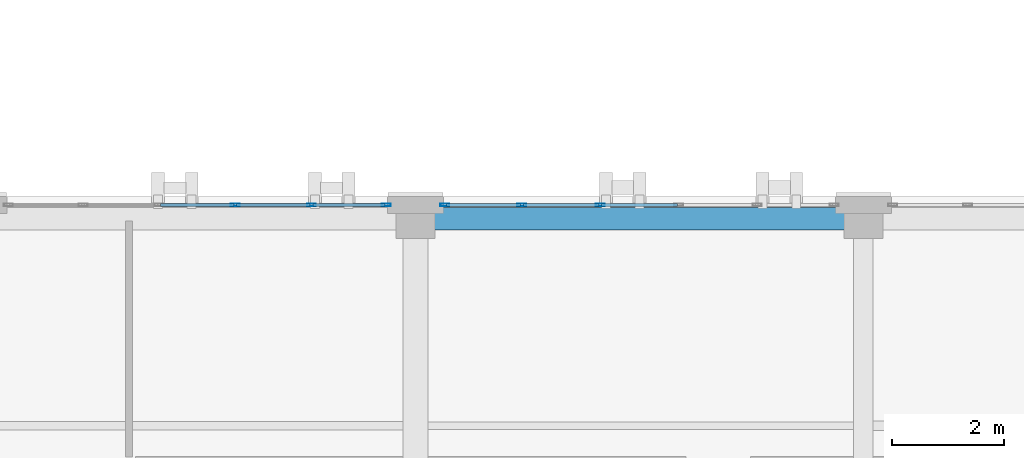
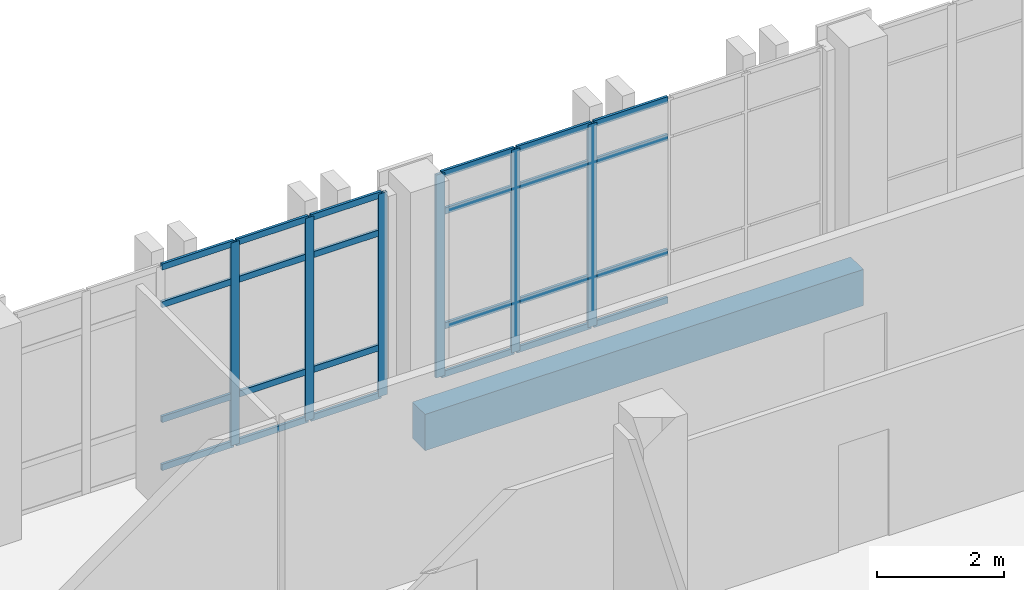
# One storey, part 126 of 193: 30 members, 1 beam, 2 elements without a shape of their own.
"""IFC4 building model written with IfcOpenShell, lengths in metres."""

from ifc_helpers import new_model, si_unit, direction, frame, origin, origin_2d, place, context, subcontext, project, spatial, rectangle, hollow_rectangle, extrude, material, layer, layer_set, material_profile, profile_set, type_object, element, aggregate, save


model = new_model("IFC4")

# Units and contexts
model_context = context("Model", 3, precision=1e-05, world=origin(), true_north=direction((0.0, 1.0)))
body_context = subcontext(model_context, "Body", "Model", "MODEL_VIEW")
ifc_project = project(units=[si_unit("LENGTHUNIT", "METRE"), si_unit("AREAUNIT", "SQUARE_METRE"), si_unit("VOLUMEUNIT", "CUBIC_METRE"), si_unit("PLANEANGLEUNIT", "RADIAN"), si_unit("MASSUNIT", "GRAM", prefix="KILO")], contexts=[model_context])

# Site, building, storey
site_placement = place(None, origin())
site = spatial("IfcSite", under=ifc_project, at=site_placement, CompositionType="ELEMENT")
building_placement = place(site_placement, origin())
building = spatial("IfcBuilding", under=site, at=building_placement, Name="Qalavern Law Courts", CompositionType="ELEMENT")
storey_placement = place(building_placement, frame((0.0, 0.0, 10.199951171875)))
storey = spatial("IfcBuildingStorey", under=building, at=storey_placement, Name="L02", CompositionType="ELEMENT", Elevation=10.199951171875)

# Curtain wall, members
ifc_material_1 = material(Name="Anodised aluminium and insulated glazing", Category="aluminium")
ifc_layer = layer(ifc_material_1, 0.172119140625)
ifc_layer_set = layer_set([ifc_layer], Name="Anodised aluminium and insulated glazing")
curtain_wall_type = type_object("IfcCurtainWallType", Name="ENV-CW-COURT", PredefinedType="USERDEFINED", material=ifc_layer_set)
curtain_wall_1_placement = place(storey_placement, origin())
curtain_wall_1 = element("IfcCurtainWall", 1, at=curtain_wall_1_placement, inside=storey, type_object=curtain_wall_type, Name="V6 unitised curtain wall L02 north 2", ObjectType="UNITISED CURTAIN WALL", PredefinedType="USERDEFINED")
ifc_material_2 = material(Name="Anodised aluminium", Category="aluminium")
ifc_material_profile_1 = material_profile(ifc_material_2, hollow_rectangle(XDim=0.048095703125, YDim=0.159912109375, WallThickness=0.00390625, at=origin_2d()), Name="ALU MULLION 48x160")
ifc_profile_set_1 = profile_set([ifc_material_profile_1], Name="Anodised aluminium")
member_type_1 = type_object("IfcMemberType", Name="ENV-CWM-48x160", PredefinedType="MULLION", material=ifc_profile_set_1)
member_1_placement = place(storey_placement, frame((153.10009765625, 22.445068359375, 0.0), z_axis=(0.0, 0.0, 1.0), x_axis=(0.0, -1.0, 0.0)))
member_1 = element("IfcMember", 2, at=member_1_placement, type_object=member_type_1, Name="CW-03 mullion 4", PredefinedType="MULLION", context=body_context, shape_type="SweptSolid", body=[
    extrude(hollow_rectangle(XDim=0.048095703125, YDim=0.159912109375, WallThickness=0.00390625, at=origin_2d()), origin(), (0.0, 0.0, 1.0), 3.9150390625),
])
member_2_placement = place(storey_placement, frame((151.699951171875, 22.445068359375, 0.0), z_axis=(0.0, 0.0, 1.0), x_axis=(0.0, -1.0, 0.0)))
member_2 = element("IfcMember", 3, at=member_2_placement, type_object=member_type_1, Name="CW-03 mullion 5", PredefinedType="MULLION", context=body_context, shape_type="SweptSolid", body=[
    extrude(hollow_rectangle(XDim=0.048095703125, YDim=0.159912109375, WallThickness=0.00390625, at=origin_2d()), origin(), (0.0, 0.0, 1.0), 3.9150390625),
])
member_3_placement = place(storey_placement, frame((150.323974609375, 22.445068359375, 0.0), z_axis=(0.0, 0.0, 1.0), x_axis=(0.0, -1.0, 0.0)))
member_3 = element("IfcMember", 4, at=member_3_placement, type_object=member_type_1, Name="CW-03 mullion 6", PredefinedType="MULLION", context=body_context, shape_type="SweptSolid", body=[
    extrude(hollow_rectangle(XDim=0.048095703125, YDim=0.159912109375, WallThickness=0.00390625, at=origin_2d()), origin(), (0.0, 0.0, 1.0), 3.9150390625),
])

curtain_wall_2_placement = place(storey_placement, origin())
curtain_wall_2 = element("IfcCurtainWall", 5, at=curtain_wall_2_placement, inside=storey, type_object=curtain_wall_type, Name="V6 unitised curtain wall L02 north 3", ObjectType="UNITISED CURTAIN WALL", PredefinedType="USERDEFINED")
member_4_placement = place(storey_placement, frame((149.27587890625, 22.445068359375, 0.0), z_axis=(0.0, 0.0, 1.0), x_axis=(0.0, -1.0, 0.0)))
member_4 = element("IfcMember", 6, at=member_4_placement, type_object=member_type_1, Name="CW-03 mullion 1", PredefinedType="MULLION", context=body_context, shape_type="SweptSolid", body=[
    extrude(hollow_rectangle(XDim=0.048095703125, YDim=0.159912109375, WallThickness=0.00390625, at=origin_2d()), origin(), (0.0, 0.0, 1.0), 3.9150390625),
])
member_5_placement = place(storey_placement, frame((147.93994140625, 22.445068359375, 0.0), z_axis=(0.0, 0.0, 1.0), x_axis=(0.0, -1.0, 0.0)))
member_5 = element("IfcMember", 7, at=member_5_placement, type_object=member_type_1, Name="CW-03 mullion 2", PredefinedType="MULLION", context=body_context, shape_type="SweptSolid", body=[
    extrude(hollow_rectangle(XDim=0.048095703125, YDim=0.159912109375, WallThickness=0.00390625, at=origin_2d()), origin(), (0.0, 0.0, 1.0), 3.9150390625),
])
member_6_placement = place(storey_placement, frame((146.580078125, 22.445068359375, 0.0), z_axis=(0.0, 0.0, 1.0), x_axis=(0.0, -1.0, 0.0)))
member_6 = element("IfcMember", 8, at=member_6_placement, type_object=member_type_1, Name="CW-03 mullion 3", PredefinedType="MULLION", context=body_context, shape_type="SweptSolid", body=[
    extrude(hollow_rectangle(XDim=0.048095703125, YDim=0.159912109375, WallThickness=0.00390625, at=origin_2d()), origin(), (0.0, 0.0, 1.0), 3.9150390625),
])

# Member
ifc_material_profile_2 = material_profile(ifc_material_2, hollow_rectangle(XDim=0.048095703125, YDim=0.1201171875, WallThickness=0.00390625, at=origin_2d()), Name="ALU TRANSOM 48x120")
ifc_profile_set_2 = profile_set([ifc_material_profile_2], Name="Anodised aluminium")
member_type_2 = type_object("IfcMemberType", Name="ENV-CWT-48x120", PredefinedType="USERDEFINED", material=ifc_profile_set_2)
member_7_placement = place(storey_placement, frame((154.47607421875, 22.445068359375, 0.024169921875), z_axis=(-1.0, 0.0, 0.0), x_axis=(0.0, -1.0, 0.0)))
member_7 = element("IfcMember", 9, at=member_7_placement, type_object=member_type_2, Name="CW-03 transom 3.1", ObjectType="TRANSOM", PredefinedType="USERDEFINED", context=body_context, shape_type="SweptSolid", body=[
    extrude(hollow_rectangle(XDim=0.048095703125, YDim=0.1201171875, WallThickness=0.00390625, at=origin_2d()), origin(), (0.0, 0.0, 1.0), 1.35205078125),
])

member_8_placement = place(storey_placement, frame((154.47607421875, 22.445068359375, 0.949951171875), z_axis=(-1.0, 0.0, 0.0), x_axis=(0.0, -1.0, 0.0)))
member_8 = element("IfcMember", 10, at=member_8_placement, type_object=member_type_2, Name="CW-03 transom 3.2", ObjectType="TRANSOM", PredefinedType="USERDEFINED", context=body_context, shape_type="SweptSolid", body=[
    extrude(hollow_rectangle(XDim=0.048095703125, YDim=0.1201171875, WallThickness=0.00390625, at=origin_2d()), origin(), (0.0, 0.0, 1.0), 1.35205078125),
])

member_9_placement = place(storey_placement, frame((154.47607421875, 22.445068359375, 3.1650390625), z_axis=(-1.0, 0.0, 0.0), x_axis=(0.0, -1.0, 0.0)))
member_9 = element("IfcMember", 11, at=member_9_placement, type_object=member_type_2, Name="CW-03 transom 3.3", ObjectType="TRANSOM", PredefinedType="USERDEFINED", context=body_context, shape_type="SweptSolid", body=[
    extrude(hollow_rectangle(XDim=0.048095703125, YDim=0.1201171875, WallThickness=0.00390625, at=origin_2d()), origin(), (0.0, 0.0, 1.0), 1.35205078125),
])

member_10_placement = place(storey_placement, frame((154.47607421875, 22.445068359375, 3.89111328125), z_axis=(-1.0, 0.0, 0.0), x_axis=(0.0, -1.0, 0.0)))
member_10 = element("IfcMember", 12, at=member_10_placement, type_object=member_type_2, Name="CW-03 transom 3.4", ObjectType="TRANSOM", PredefinedType="USERDEFINED", context=body_context, shape_type="SweptSolid", body=[
    extrude(hollow_rectangle(XDim=0.048095703125, YDim=0.1201171875, WallThickness=0.00390625, at=origin_2d()), origin(), (0.0, 0.0, 1.0), 1.35205078125),
])

member_11_placement = place(storey_placement, frame((153.075927734375, 22.445068359375, 0.024169921875), z_axis=(-1.0, 0.0, 0.0), x_axis=(0.0, -1.0, 0.0)))
member_11 = element("IfcMember", 13, at=member_11_placement, type_object=member_type_2, Name="CW-03 transom 4.1", ObjectType="TRANSOM", PredefinedType="USERDEFINED", context=body_context, shape_type="SweptSolid", body=[
    extrude(hollow_rectangle(XDim=0.048095703125, YDim=0.1201171875, WallThickness=0.00390625, at=origin_2d()), origin(), (0.0, 0.0, 1.0), 1.351806640625),
])

member_12_placement = place(storey_placement, frame((153.075927734375, 22.445068359375, 0.949951171875), z_axis=(-1.0, 0.0, 0.0), x_axis=(0.0, -1.0, 0.0)))
member_12 = element("IfcMember", 14, at=member_12_placement, type_object=member_type_2, Name="CW-03 transom 4.2", ObjectType="TRANSOM", PredefinedType="USERDEFINED", context=body_context, shape_type="SweptSolid", body=[
    extrude(hollow_rectangle(XDim=0.048095703125, YDim=0.1201171875, WallThickness=0.00390625, at=origin_2d()), origin(), (0.0, 0.0, 1.0), 1.351806640625),
])

member_13_placement = place(storey_placement, frame((153.075927734375, 22.445068359375, 3.1650390625), z_axis=(-1.0, 0.0, 0.0), x_axis=(0.0, -1.0, 0.0)))
member_13 = element("IfcMember", 15, at=member_13_placement, type_object=member_type_2, Name="CW-03 transom 4.3", ObjectType="TRANSOM", PredefinedType="USERDEFINED", context=body_context, shape_type="SweptSolid", body=[
    extrude(hollow_rectangle(XDim=0.048095703125, YDim=0.1201171875, WallThickness=0.00390625, at=origin_2d()), origin(), (0.0, 0.0, 1.0), 1.351806640625),
])

member_14_placement = place(storey_placement, frame((153.075927734375, 22.445068359375, 3.89111328125), z_axis=(-1.0, 0.0, 0.0), x_axis=(0.0, -1.0, 0.0)))
member_14 = element("IfcMember", 16, at=member_14_placement, type_object=member_type_2, Name="CW-03 transom 4.4", ObjectType="TRANSOM", PredefinedType="USERDEFINED", context=body_context, shape_type="SweptSolid", body=[
    extrude(hollow_rectangle(XDim=0.048095703125, YDim=0.1201171875, WallThickness=0.00390625, at=origin_2d()), origin(), (0.0, 0.0, 1.0), 1.351806640625),
])

member_15_placement = place(storey_placement, frame((151.676025390625, 22.445068359375, 0.024169921875), z_axis=(-1.0, 0.0, 0.0), x_axis=(0.0, -1.0, 0.0)))
member_15 = element("IfcMember", 17, at=member_15_placement, type_object=member_type_2, Name="CW-03 transom 5.1", ObjectType="TRANSOM", PredefinedType="USERDEFINED", context=body_context, shape_type="SweptSolid", body=[
    extrude(hollow_rectangle(XDim=0.048095703125, YDim=0.1201171875, WallThickness=0.00390625, at=origin_2d()), origin(), (0.0, 0.0, 1.0), 1.328125),
])

member_16_placement = place(storey_placement, frame((151.676025390625, 22.445068359375, 0.949951171875), z_axis=(-1.0, 0.0, 0.0), x_axis=(0.0, -1.0, 0.0)))
member_16 = element("IfcMember", 18, at=member_16_placement, type_object=member_type_2, Name="CW-03 transom 5.2", ObjectType="TRANSOM", PredefinedType="USERDEFINED", context=body_context, shape_type="SweptSolid", body=[
    extrude(hollow_rectangle(XDim=0.048095703125, YDim=0.1201171875, WallThickness=0.00390625, at=origin_2d()), origin(), (0.0, 0.0, 1.0), 1.328125),
])

member_17_placement = place(storey_placement, frame((151.676025390625, 22.445068359375, 3.1650390625), z_axis=(-1.0, 0.0, 0.0), x_axis=(0.0, -1.0, 0.0)))
member_17 = element("IfcMember", 19, at=member_17_placement, type_object=member_type_2, Name="CW-03 transom 5.3", ObjectType="TRANSOM", PredefinedType="USERDEFINED", context=body_context, shape_type="SweptSolid", body=[
    extrude(hollow_rectangle(XDim=0.048095703125, YDim=0.1201171875, WallThickness=0.00390625, at=origin_2d()), origin(), (0.0, 0.0, 1.0), 1.328125),
])

member_18_placement = place(storey_placement, frame((151.676025390625, 22.445068359375, 3.89111328125), z_axis=(-1.0, 0.0, 0.0), x_axis=(0.0, -1.0, 0.0)))
member_18 = element("IfcMember", 20, at=member_18_placement, type_object=member_type_2, Name="CW-03 transom 5.4", ObjectType="TRANSOM", PredefinedType="USERDEFINED", context=body_context, shape_type="SweptSolid", body=[
    extrude(hollow_rectangle(XDim=0.048095703125, YDim=0.1201171875, WallThickness=0.00390625, at=origin_2d()), origin(), (0.0, 0.0, 1.0), 1.328125),
])

aggregate(curtain_wall_1, [member_1, member_2, member_3, member_7, member_8, member_9, member_10, member_11, member_12, member_13, member_14, member_15, member_16, member_17, member_18])

member_19_placement = place(storey_placement, frame((149.251953125, 22.445068359375, 0.024169921875), z_axis=(-1.0, 0.0, 0.0), x_axis=(0.0, -1.0, 0.0)))
member_19 = element("IfcMember", 21, at=member_19_placement, type_object=member_type_2, Name="CW-03 transom 1.1", ObjectType="TRANSOM", PredefinedType="USERDEFINED", context=body_context, shape_type="SweptSolid", body=[
    extrude(hollow_rectangle(XDim=0.048095703125, YDim=0.1201171875, WallThickness=0.00390625, at=origin_2d()), origin(), (0.0, 0.0, 1.0), 1.287841796875),
])

member_20_placement = place(storey_placement, frame((149.251953125, 22.445068359375, 0.949951171875), z_axis=(-1.0, 0.0, 0.0), x_axis=(0.0, -1.0, 0.0)))
member_20 = element("IfcMember", 22, at=member_20_placement, type_object=member_type_2, Name="CW-03 transom 1.2", ObjectType="TRANSOM", PredefinedType="USERDEFINED", context=body_context, shape_type="SweptSolid", body=[
    extrude(hollow_rectangle(XDim=0.048095703125, YDim=0.1201171875, WallThickness=0.00390625, at=origin_2d()), origin(), (0.0, 0.0, 1.0), 1.287841796875),
])

member_21_placement = place(storey_placement, frame((149.251953125, 22.445068359375, 3.1650390625), z_axis=(-1.0, 0.0, 0.0), x_axis=(0.0, -1.0, 0.0)))
member_21 = element("IfcMember", 23, at=member_21_placement, type_object=member_type_2, Name="CW-03 transom 1.3", ObjectType="TRANSOM", PredefinedType="USERDEFINED", context=body_context, shape_type="SweptSolid", body=[
    extrude(hollow_rectangle(XDim=0.048095703125, YDim=0.1201171875, WallThickness=0.00390625, at=origin_2d()), origin(), (0.0, 0.0, 1.0), 1.287841796875),
])

member_22_placement = place(storey_placement, frame((149.251953125, 22.445068359375, 3.89111328125), z_axis=(-1.0, 0.0, 0.0), x_axis=(0.0, -1.0, 0.0)))
member_22 = element("IfcMember", 24, at=member_22_placement, type_object=member_type_2, Name="CW-03 transom 1.4", ObjectType="TRANSOM", PredefinedType="USERDEFINED", context=body_context, shape_type="SweptSolid", body=[
    extrude(hollow_rectangle(XDim=0.048095703125, YDim=0.1201171875, WallThickness=0.00390625, at=origin_2d()), origin(), (0.0, 0.0, 1.0), 1.287841796875),
])

member_23_placement = place(storey_placement, frame((147.916015625, 22.445068359375, 0.024169921875), z_axis=(-1.0, 0.0, 0.0), x_axis=(0.0, -1.0, 0.0)))
member_23 = element("IfcMember", 25, at=member_23_placement, type_object=member_type_2, Name="CW-03 transom 2.1", ObjectType="TRANSOM", PredefinedType="USERDEFINED", context=body_context, shape_type="SweptSolid", body=[
    extrude(hollow_rectangle(XDim=0.048095703125, YDim=0.1201171875, WallThickness=0.00390625, at=origin_2d()), origin(), (0.0, 0.0, 1.0), 1.31201171875),
])

member_24_placement = place(storey_placement, frame((147.916015625, 22.445068359375, 0.949951171875), z_axis=(-1.0, 0.0, 0.0), x_axis=(0.0, -1.0, 0.0)))
member_24 = element("IfcMember", 26, at=member_24_placement, type_object=member_type_2, Name="CW-03 transom 2.2", ObjectType="TRANSOM", PredefinedType="USERDEFINED", context=body_context, shape_type="SweptSolid", body=[
    extrude(hollow_rectangle(XDim=0.048095703125, YDim=0.1201171875, WallThickness=0.00390625, at=origin_2d()), origin(), (0.0, 0.0, 1.0), 1.31201171875),
])

member_25_placement = place(storey_placement, frame((147.916015625, 22.445068359375, 3.1650390625), z_axis=(-1.0, 0.0, 0.0), x_axis=(0.0, -1.0, 0.0)))
member_25 = element("IfcMember", 27, at=member_25_placement, type_object=member_type_2, Name="CW-03 transom 2.3", ObjectType="TRANSOM", PredefinedType="USERDEFINED", context=body_context, shape_type="SweptSolid", body=[
    extrude(hollow_rectangle(XDim=0.048095703125, YDim=0.1201171875, WallThickness=0.00390625, at=origin_2d()), origin(), (0.0, 0.0, 1.0), 1.31201171875),
])

member_26_placement = place(storey_placement, frame((147.916015625, 22.445068359375, 3.89111328125), z_axis=(-1.0, 0.0, 0.0), x_axis=(0.0, -1.0, 0.0)))
member_26 = element("IfcMember", 28, at=member_26_placement, type_object=member_type_2, Name="CW-03 transom 2.4", ObjectType="TRANSOM", PredefinedType="USERDEFINED", context=body_context, shape_type="SweptSolid", body=[
    extrude(hollow_rectangle(XDim=0.048095703125, YDim=0.1201171875, WallThickness=0.00390625, at=origin_2d()), origin(), (0.0, 0.0, 1.0), 1.31201171875),
])

member_27_placement = place(storey_placement, frame((146.555908203125, 22.445068359375, 0.024169921875), z_axis=(-1.0, 0.0, 0.0), x_axis=(0.0, -1.0, 0.0)))
member_27 = element("IfcMember", 29, at=member_27_placement, type_object=member_type_2, Name="CW-03 transom 3.1", ObjectType="TRANSOM", PredefinedType="USERDEFINED", context=body_context, shape_type="SweptSolid", body=[
    extrude(hollow_rectangle(XDim=0.048095703125, YDim=0.1201171875, WallThickness=0.00390625, at=origin_2d()), origin(), (0.0, 0.0, 1.0), 1.31201171875),
])

member_28_placement = place(storey_placement, frame((146.555908203125, 22.445068359375, 0.949951171875), z_axis=(-1.0, 0.0, 0.0), x_axis=(0.0, -1.0, 0.0)))
member_28 = element("IfcMember", 30, at=member_28_placement, type_object=member_type_2, Name="CW-03 transom 3.2", ObjectType="TRANSOM", PredefinedType="USERDEFINED", context=body_context, shape_type="SweptSolid", body=[
    extrude(hollow_rectangle(XDim=0.048095703125, YDim=0.1201171875, WallThickness=0.00390625, at=origin_2d()), origin(), (0.0, 0.0, 1.0), 1.31201171875),
])

member_29_placement = place(storey_placement, frame((146.555908203125, 22.445068359375, 3.1650390625), z_axis=(-1.0, 0.0, 0.0), x_axis=(0.0, -1.0, 0.0)))
member_29 = element("IfcMember", 31, at=member_29_placement, type_object=member_type_2, Name="CW-03 transom 3.3", ObjectType="TRANSOM", PredefinedType="USERDEFINED", context=body_context, shape_type="SweptSolid", body=[
    extrude(hollow_rectangle(XDim=0.048095703125, YDim=0.1201171875, WallThickness=0.00390625, at=origin_2d()), origin(), (0.0, 0.0, 1.0), 1.31201171875),
])

member_30_placement = place(storey_placement, frame((146.555908203125, 22.445068359375, 3.89111328125), z_axis=(-1.0, 0.0, 0.0), x_axis=(0.0, -1.0, 0.0)))
member_30 = element("IfcMember", 32, at=member_30_placement, type_object=member_type_2, Name="CW-03 transom 3.4", ObjectType="TRANSOM", PredefinedType="USERDEFINED", context=body_context, shape_type="SweptSolid", body=[
    extrude(hollow_rectangle(XDim=0.048095703125, YDim=0.1201171875, WallThickness=0.00390625, at=origin_2d()), origin(), (0.0, 0.0, 1.0), 1.31201171875),
])

aggregate(curtain_wall_2, [member_4, member_5, member_6, member_19, member_20, member_21, member_22, member_23, member_24, member_25, member_26, member_27, member_28, member_29, member_30])

# Beam
ifc_material_3 = material(Name="Concrete C40/50", Category="concrete")
ifc_material_profile_3 = material_profile(ifc_material_3, rectangle(XDim=0.39990234375, YDim=0.699951171875, at=origin_2d()), Name="RC 400x700")
ifc_profile_set_3 = profile_set([ifc_material_profile_3], Name="Concrete C40/50")
beam_type = type_object("IfcBeamType", Name="STR-SP-RC400x700", PredefinedType="SPANDREL", material=ifc_profile_set_3)
beam_placement = place(storey_placement, frame((149.800048828125, 22.199951171875, -0.639892578125), z_axis=(1.0, 0.0, 0.0), x_axis=(0.0, 1.0, 0.0)))
element("IfcBeam", 33, at=beam_placement, inside=storey, type_object=beam_type, Name="V6 X-beam 4-7 L02", PredefinedType="SPANDREL", context=body_context, shape_type="SweptSolid", body=[
    extrude(rectangle(XDim=0.39990234375, YDim=0.699951171875, at=origin_2d()), origin(), (0.0, 0.0, 1.0), 8.0),
])

save(model, "model.ifc")
